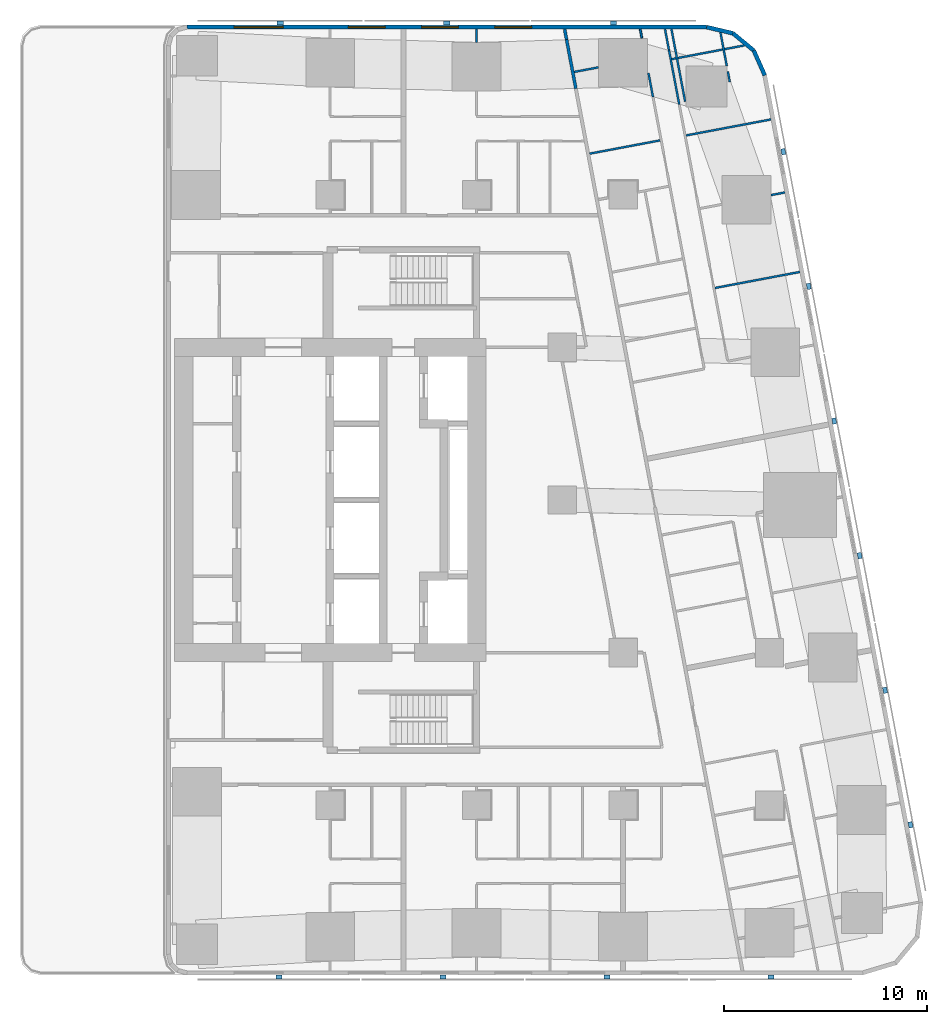
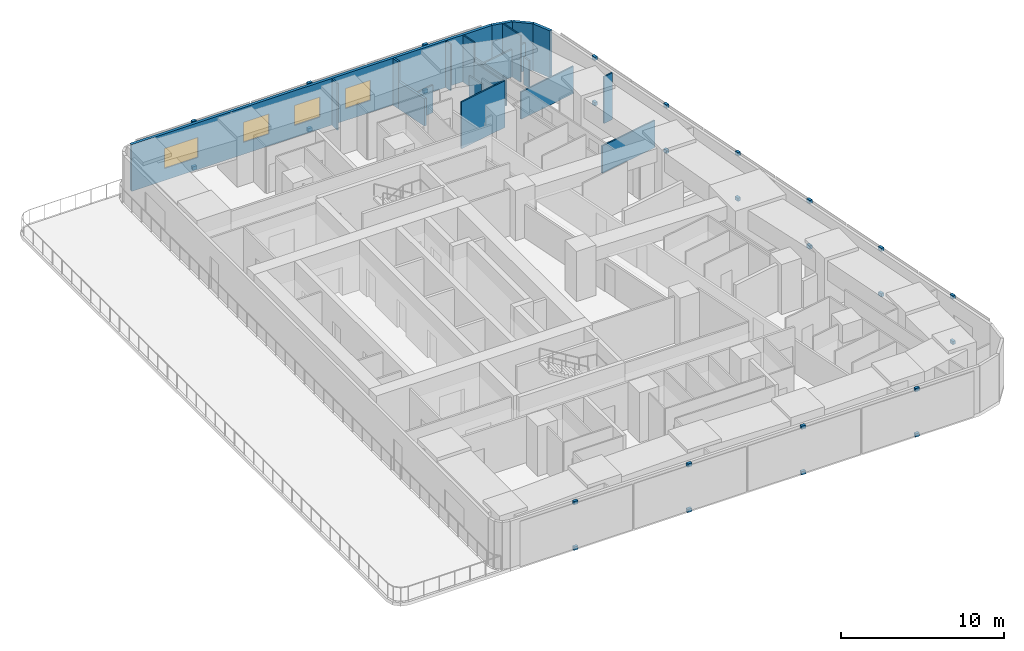
# One storey, part 8 of 11: 26 discrete accessories, 20 walls, 4 windows, 4 openings.
"""IFC4 building model written with IfcOpenShell, lengths in metres."""

from ifc_helpers import new_model, si_unit, direction, frame, frame_2d, origin, origin_2d, place, context, subcontext, project, spatial, rectangle, extrude, material, layer, layer_set, type_object, element, fill, save


model = new_model("IFC4")

# Units and contexts
model_context = context("Model", 3, precision=1e-05, world=origin(), true_north=direction((0.0, 1.0)))
body_context = subcontext(model_context, "Body", "Model", "MODEL_VIEW")
ifc_project = project(units=[si_unit("LENGTHUNIT", "METRE"), si_unit("AREAUNIT", "SQUARE_METRE"), si_unit("VOLUMEUNIT", "CUBIC_METRE"), si_unit("PLANEANGLEUNIT", "RADIAN"), si_unit("MASSUNIT", "GRAM", prefix="KILO")], contexts=[model_context])

# Site, building, storey
site_placement = place(None, origin())
site = spatial("IfcSite", under=ifc_project, at=site_placement, CompositionType="ELEMENT")
building_placement = place(site_placement, origin())
building = spatial("IfcBuilding", under=site, at=building_placement, Name="Sheger Commons Tower", CompositionType="ELEMENT")
storey_placement = place(building_placement, frame((0.0, 0.0, 223.699951171875)))
storey = spatial("IfcBuildingStorey", under=building, at=storey_placement, Name="L57", CompositionType="ELEMENT", Elevation=223.699951171875)

# Walls
ifc_material_1 = material(Name="Hollow concrete block masonry, skimmed both sides", Category="masonry")
ifc_layer_1 = layer(ifc_material_1, 0.14990234375)
ifc_layer_set_1 = layer_set([ifc_layer_1], Name="CORRIDOR WALL 150")
wall_type_1 = type_object("IfcWallType", Name="CORRIDOR WALL 150", PredefinedType="SOLIDWALL", material=ifc_layer_set_1)
wall_1_placement = place(storey_placement, frame((33.126953125, 45.64990234375, 0.0), z_axis=(0.0, 0.0, 1.0), x_axis=(0.185441815104, -0.982655246366, 0.0)))
element("IfcWall", 1, at=wall_1_placement, inside=storey, type_object=wall_type_1, Name="Corridor wall L57", PredefinedType="SOLIDWALL", context=body_context, shape_type="SweptSolid", body=[
    extrude(rectangle(XDim=0.52392578125, YDim=0.14990234375, at=frame_2d((0.261962890625, 0.0))), origin(), (0.0, 0.0, 1.0), 3.5),
])
wall_2_placement = place(storey_placement, frame((33.22412109375, 45.135009765625, 0.0), z_axis=(0.0, 0.0, 1.0), x_axis=(0.185681462868, -0.982609990967, 0.0)))
element("IfcWall", 2, at=wall_2_placement, inside=storey, type_object=wall_type_1, Name="Corridor wall L57", PredefinedType="SOLIDWALL", context=body_context, shape_type="SweptSolid", body=[
    extrude(rectangle(XDim=2.454833984375, YDim=0.14990234375, at=frame_2d((1.2275390625, 0.0))), origin(), (0.0, 0.0, 1.0), 2.050048828125),
])
ifc_material_2 = material(Name="Rendered concrete block masonry, dark grey", Category="masonry")
ifc_layer_2 = layer(ifc_material_2, 0.199951171875)
ifc_layer_set_2 = layer_set([ifc_layer_2], Name="FACADE WALL 200")
wall_type_2 = type_object("IfcWallType", Name="FACADE WALL 200", PredefinedType="SOLIDWALL", material=ifc_layer_set_2)
wall_3_placement = place(storey_placement, frame((42.969970703125, 43.376953125, 0.0), z_axis=(0.0, 0.0, 1.0), x_axis=(-0.406002956633, 0.913871762998, 0.0)))
element("IfcWall", 3, at=wall_3_placement, inside=storey, type_object=wall_type_2, Name="Facade wall L57", PredefinedType="SOLIDWALL", context=body_context, shape_type="SweptSolid", body=[
    extrude(rectangle(XDim=1.33740234375, YDim=0.199951171875, at=frame_2d((0.668701171875, 0.0))), origin(), (0.0, 0.0, 1.0), 3.5),
])
wall_4_placement = place(storey_placement, frame((42.427001953125, 44.59912109375, 0.0), z_axis=(0.0, 0.0, 1.0), x_axis=(-0.770091412544, 0.637933551655, 0.0)))
element("IfcWall", 4, at=wall_4_placement, inside=storey, type_object=wall_type_2, Name="Facade wall L57", PredefinedType="SOLIDWALL", context=body_context, shape_type="SweptSolid", body=[
    extrude(rectangle(XDim=1.324462890625, YDim=0.199951171875, at=frame_2d((0.662109375, 0.0))), origin(), (0.0, 0.0, 1.0), 3.5),
])
wall_5_placement = place(storey_placement, frame((41.406982421875, 45.444091796875, 0.0), z_axis=(0.0, 0.0, 1.0), x_axis=(-0.973453091607, 0.228886606077, 0.0)))
element("IfcWall", 5, at=wall_5_placement, inside=storey, type_object=wall_type_2, Name="Facade wall L57", PredefinedType="SOLIDWALL", context=body_context, shape_type="SweptSolid", body=[
    extrude(rectangle(XDim=1.33642578125, YDim=0.199951171875, at=frame_2d((0.668212890625, 0.0))), origin(), (0.0, 0.0, 1.0), 3.5),
])

# Wall, openings, windows
wall_6_placement = place(storey_placement, frame((40.10595703125, 45.75, 0.0), z_axis=(0.0, 0.0, 1.0), x_axis=(-1.0, 0.0, 0.0)))
wall_6 = element("IfcWall", 6, at=wall_6_placement, inside=storey, type_object=wall_type_2, Name="Facade wall L57", PredefinedType="SOLIDWALL", context=body_context, shape_type="SweptSolid", body=[
    extrude(rectangle(XDim=25.54296875, YDim=0.199951171875, at=frame_2d((12.771484375, 0.0))), origin(), (0.0, 0.0, 1.0), 3.5),
])
opening_1_placement = place(wall_6_placement, frame((8.60595703125, 0.0, 0.89990234375)))
opening_1 = element("IfcOpeningElement", 7, at=opening_1_placement, cuts=wall_6, Name="Opening W2", PredefinedType="OPENING", context=body_context, shape_type="SweptSolid", body=[
    extrude(rectangle(XDim=1.800048828125, YDim=1.5, at=frame_2d((0.89990234375, 0.75))), frame((0.0, 0.10986328125, 0.0), z_axis=(0.0, -1.0, 0.0), x_axis=(1.0, 0.0, 0.0)), (0.0, 0.0, 1.0), 0.219970703125),
])
opening_2_placement = place(wall_6_placement, frame((12.2060546875, 0.0, 0.89990234375)))
opening_2 = element("IfcOpeningElement", 8, at=opening_2_placement, cuts=wall_6, Name="Opening W2", PredefinedType="OPENING", context=body_context, shape_type="SweptSolid", body=[
    extrude(rectangle(XDim=1.800048828125, YDim=1.5, at=frame_2d((0.89990234375, 0.75))), frame((0.0, 0.10986328125, 0.0), z_axis=(0.0, -1.0, 0.0), x_axis=(1.0, 0.0, 0.0)), (0.0, 0.0, 1.0), 0.219970703125),
])
opening_3_placement = place(wall_6_placement, frame((15.805908203125, 0.0, 0.89990234375)))
opening_3 = element("IfcOpeningElement", 9, at=opening_3_placement, cuts=wall_6, Name="Opening W2", PredefinedType="OPENING", context=body_context, shape_type="SweptSolid", body=[
    extrude(rectangle(XDim=1.800048828125, YDim=1.5, at=frame_2d((0.89990234375, 0.75))), frame((0.0, 0.10986328125, 0.0), z_axis=(0.0, -1.0, 0.0), x_axis=(1.0, 0.0, 0.0)), (0.0, 0.0, 1.0), 0.219970703125),
])
opening_4_placement = place(wall_6_placement, frame((20.824951171875, 0.0, 0.89990234375)))
opening_4 = element("IfcOpeningElement", 10, at=opening_4_placement, cuts=wall_6, Name="Opening W1", PredefinedType="OPENING", context=body_context, shape_type="SweptSolid", body=[
    extrude(rectangle(XDim=2.39990234375, YDim=1.5, at=frame_2d((1.199951171875, 0.75))), frame((0.0, 0.10986328125, 0.0), z_axis=(0.0, -1.0, 0.0), x_axis=(1.0, 0.0, 0.0)), (0.0, 0.0, 1.0), 0.219970703125),
])
ifc_material_3 = material(Name="Black aluminium frame, dark tinted double glazing", Category="aluminium")
window_type_1 = type_object("IfcWindowType", Name="WINDOW W1 2400x1500", PartitioningType="SINGLE_PANEL", PredefinedType="WINDOW", material=ifc_material_3)
window_1_placement = place(opening_4_placement, origin())
window_1 = element("IfcWindow", 11, at=window_1_placement, inside=storey, type_object=window_type_1, Name="Window W1 2400X1500", OverallHeight=1.5, OverallWidth=2.39990234375, PartitioningType="SINGLE_PANEL", PredefinedType="WINDOW", context=body_context, shape_type="SweptSolid", body=[
    extrude(rectangle(XDim=2.39990234375, YDim=1.5, at=frame_2d((1.199951171875, 0.75))), frame((0.0, 0.030029296875, 0.0), z_axis=(0.0, -1.0, 0.0), x_axis=(1.0, 0.0, 0.0)), (0.0, 0.0, 1.0), 0.06005859375),
])
fill(opening_4, window_1)
ifc_material_4 = material(Name="Black aluminium frame, dark tinted double glazing", Category="aluminium")
window_type_2 = type_object("IfcWindowType", Name="WINDOW W2 1800x1500", PartitioningType="SINGLE_PANEL", PredefinedType="WINDOW", material=ifc_material_4)
window_2_placement = place(opening_1_placement, origin())
window_2 = element("IfcWindow", 12, at=window_2_placement, inside=storey, type_object=window_type_2, Name="Window W2 1800X1500", OverallHeight=1.5, OverallWidth=1.800048828125, PartitioningType="SINGLE_PANEL", PredefinedType="WINDOW", context=body_context, shape_type="SweptSolid", body=[
    extrude(rectangle(XDim=1.800048828125, YDim=1.5, at=frame_2d((0.89990234375, 0.75))), frame((0.0, 0.030029296875, 0.0), z_axis=(0.0, -1.0, 0.0), x_axis=(1.0, 0.0, 0.0)), (0.0, 0.0, 1.0), 0.06005859375),
])
fill(opening_1, window_2)
window_3_placement = place(opening_2_placement, origin())
window_3 = element("IfcWindow", 13, at=window_3_placement, inside=storey, type_object=window_type_2, Name="Window W2 1800X1500", OverallHeight=1.5, OverallWidth=1.800048828125, PartitioningType="SINGLE_PANEL", PredefinedType="WINDOW", context=body_context, shape_type="SweptSolid", body=[
    extrude(rectangle(XDim=1.800048828125, YDim=1.5, at=frame_2d((0.89990234375, 0.75))), frame((0.0, 0.030029296875, 0.0), z_axis=(0.0, -1.0, 0.0), x_axis=(1.0, 0.0, 0.0)), (0.0, 0.0, 1.0), 0.06005859375),
])
fill(opening_2, window_3)
window_4_placement = place(opening_3_placement, origin())
window_4 = element("IfcWindow", 14, at=window_4_placement, inside=storey, type_object=window_type_2, Name="Window W2 1800X1500", OverallHeight=1.5, OverallWidth=1.800048828125, PartitioningType="SINGLE_PANEL", PredefinedType="WINDOW", context=body_context, shape_type="SweptSolid", body=[
    extrude(rectangle(XDim=1.800048828125, YDim=1.5, at=frame_2d((0.89990234375, 0.75))), frame((0.0, 0.030029296875, 0.0), z_axis=(0.0, -1.0, 0.0), x_axis=(1.0, 0.0, 0.0)), (0.0, 0.0, 1.0), 0.06005859375),
])
fill(opening_3, window_4)

# Walls
ifc_material_5 = material(Name="Gypsum board on steel studs", Category="steel")
ifc_layer_3 = layer(ifc_material_5, 0.10009765625)
ifc_layer_set_3 = layer_set([ifc_layer_3], Name="PARTITION 100")
wall_type_3 = type_object("IfcWallType", Name="PARTITION 100", PredefinedType="PARTITIONING", material=ifc_layer_set_3)
wall_7_placement = place(storey_placement, frame((39.053955078125, 42.0849609375, 0.0), z_axis=(0.0, 0.0, 1.0), x_axis=(-0.185791584218, 0.982589175207, 0.0)))
element("IfcWall", 15, at=wall_7_placement, inside=storey, type_object=wall_type_3, Name="Partition L57", PredefinedType="PARTITIONING", context=body_context, shape_type="SweptSolid", body=[
    extrude(rectangle(XDim=3.628173828125, YDim=0.10009765625, at=frame_2d((1.81396484375, 0.0))), origin(), (0.0, 0.0, 1.0), 2.050048828125),
])
wall_8_placement = place(storey_placement, frame((40.7890625, 45.487060546875, 0.0), z_axis=(0.0, 0.0, 1.0), x_axis=(0.185572395193, -0.982630594955, 0.0)))
element("IfcWall", 16, at=wall_8_placement, inside=storey, type_object=wall_type_3, Name="Partition L57", PredefinedType="PARTITIONING", context=body_context, shape_type="SweptSolid", body=[
    extrude(rectangle(XDim=1.676025390625, YDim=0.10009765625, at=frame_2d((0.837890625, 0.0))), origin(), (0.0, 0.0, 1.0), 3.5),
])
wall_9_placement = place(storey_placement, frame((41.15087890625, 43.569091796875, 0.0), z_axis=(0.0, 0.0, 1.0), x_axis=(0.186563073924, -0.982442985342, 0.0)))
element("IfcWall", 17, at=wall_9_placement, inside=storey, type_object=wall_type_3, Name="Partition L57", PredefinedType="PARTITIONING", context=body_context, shape_type="SweptSolid", body=[
    extrude(rectangle(XDim=0.53125, YDim=0.10009765625, at=frame_2d((0.265625, 0.0))), origin(), (0.0, 0.0, 1.0), 2.050048828125),
])
wall_10_placement = place(storey_placement, frame((38.06298828125, 45.64990234375, 0.0), z_axis=(0.0, 0.0, 1.0), x_axis=(0.185677287841, -0.982610779902, 0.0)))
element("IfcWall", 18, at=wall_10_placement, inside=storey, type_object=wall_type_3, Name="Partition L57", PredefinedType="PARTITIONING", context=body_context, shape_type="SweptSolid", body=[
    extrude(rectangle(XDim=1.0400390625, YDim=0.10009765625, at=frame_2d((0.52001953125, 0.0))), origin(), (0.0, 0.0, 1.0), 3.5),
])
wall_11_placement = place(storey_placement, frame((38.256103515625, 44.6279296875, 0.0), z_axis=(0.0, 0.0, 1.0), x_axis=(0.185700639943, -0.982606366927, 0.0)))
element("IfcWall", 19, at=wall_11_placement, inside=storey, type_object=wall_type_3, Name="Partition L57", PredefinedType="PARTITIONING", context=body_context, shape_type="SweptSolid", body=[
    extrude(rectangle(XDim=2.734619140625, YDim=0.10009765625, at=frame_2d((1.3671875, 0.0))), origin(), (0.0, 0.0, 1.0), 2.050048828125),
])
wall_12_placement = place(storey_placement, frame((36.842041015625, 45.64990234375, 0.0), z_axis=(0.0, 0.0, 1.0), x_axis=(0.185407859198, -0.982661653748, 0.0)))
element("IfcWall", 20, at=wall_12_placement, inside=storey, type_object=wall_type_3, Name="Partition L57", PredefinedType="PARTITIONING", context=body_context, shape_type="SweptSolid", body=[
    extrude(rectangle(XDim=0.44775390625, YDim=0.10009765625, at=frame_2d((0.223876953125, 0.0))), origin(), (0.0, 0.0, 1.0), 3.5),
])
wall_13_placement = place(storey_placement, frame((37.2490234375, 43.492919921875, 0.0), z_axis=(0.0, 0.0, 1.0), x_axis=(0.185817643817, -0.982584247404, 0.0)))
element("IfcWall", 21, at=wall_13_placement, inside=storey, type_object=wall_type_3, Name="Partition L57", PredefinedType="PARTITIONING", context=body_context, shape_type="SweptSolid", body=[
    extrude(rectangle(XDim=1.204833984375, YDim=0.10009765625, at=frame_2d((0.6025390625, 0.0))), origin(), (0.0, 0.0, 1.0), 2.050048828125),
])
wall_14_placement = place(storey_placement, frame((41.968017578125, 44.85009765625, 0.0), z_axis=(0.0, 0.0, 1.0), x_axis=(-0.98258614234, -0.185807623311, 0.0)))
element("IfcWall", 22, at=wall_14_placement, inside=storey, type_object=wall_type_3, Name="Partition L57", PredefinedType="PARTITIONING", context=body_context, shape_type="SweptSolid", body=[
    extrude(rectangle(XDim=3.638427734375, YDim=0.10009765625, at=frame_2d((1.8193359375, 0.0))), origin(), (0.0, 0.0, 1.0), 2.050048828125),
])
wall_15_placement = place(storey_placement, frame((43.277099609375, 41.2119140625, 0.0), z_axis=(0.0, 0.0, 1.0), x_axis=(-0.982665405803, -0.185387972203, 0.0)))
element("IfcWall", 23, at=wall_15_placement, inside=storey, type_object=wall_type_3, Name="Partition L57", PredefinedType="PARTITIONING", context=body_context, shape_type="SweptSolid", body=[
    extrude(rectangle(XDim=4.249755859375, YDim=0.10009765625, at=frame_2d((2.125, 0.0))), origin(), (0.0, 0.0, 1.0), 2.050048828125),
])
wall_16_placement = place(storey_placement, frame((43.955078125, 37.6201171875, 0.0), z_axis=(0.0, 0.0, 1.0), x_axis=(-0.982495415327, -0.186286765128, 0.0)))
element("IfcWall", 24, at=wall_16_placement, inside=storey, type_object=wall_type_3, Name="Partition L57", PredefinedType="PARTITIONING", context=body_context, shape_type="SweptSolid", body=[
    extrude(rectangle(XDim=0.693359375, YDim=0.10009765625, at=frame_2d((0.3466796875, 0.0))), origin(), (0.0, 0.0, 1.0), 3.5),
])
wall_17_placement = place(storey_placement, frame((44.693115234375, 33.712890625, 0.0), z_axis=(0.0, 0.0, 1.0), x_axis=(-0.982623519589, -0.185609856287, 0.0)))
element("IfcWall", 25, at=wall_17_placement, inside=storey, type_object=wall_type_3, Name="Partition L57", PredefinedType="PARTITIONING", context=body_context, shape_type="SweptSolid", body=[
    extrude(rectangle(XDim=4.249755859375, YDim=0.10009765625, at=frame_2d((2.125, 0.0))), origin(), (0.0, 0.0, 1.0), 2.050048828125),
])
wall_18_placement = place(storey_placement, frame((34.7900390625, 43.77099609375, 0.0), z_axis=(0.0, 0.0, 1.0), x_axis=(-0.982730261052, -0.18504387051, 0.0)))
element("IfcWall", 26, at=wall_18_placement, inside=storey, type_object=wall_type_3, Name="Partition L57", PredefinedType="PARTITIONING", context=body_context, shape_type="SweptSolid", body=[
    extrude(rectangle(XDim=1.2099609375, YDim=0.10009765625, at=frame_2d((0.60498046875, 0.0))), origin(), (0.0, 0.0, 1.0), 2.050048828125),
])
wall_19_placement = place(storey_placement, frame((37.823974609375, 40.181884765625, 0.0), z_axis=(0.0, 0.0, 1.0), x_axis=(-0.982648794755, -0.185475998897, 0.0)))
element("IfcWall", 27, at=wall_19_placement, inside=storey, type_object=wall_type_3, Name="Partition L57", PredefinedType="PARTITIONING", context=body_context, shape_type="SweptSolid", body=[
    extrude(rectangle(XDim=3.525146484375, YDim=0.10009765625, at=frame_2d((1.7626953125, 0.0))), origin(), (0.0, 0.0, 1.0), 3.5),
])
wall_20_placement = place(storey_placement, frame((28.800048828125, 45.0009765625, 0.0), z_axis=(0.0, 0.0, 1.0), x_axis=(0.0, 1.0, 0.0)))
element("IfcWall", 28, at=wall_20_placement, inside=storey, type_object=wall_type_3, Name="Partition L57", PredefinedType="PARTITIONING", context=body_context, shape_type="SweptSolid", body=[
    extrude(rectangle(XDim=0.64892578125, YDim=0.10009765625, at=frame_2d((0.324462890625, 0.0))), origin(), (0.0, 0.0, 1.0), 3.5),
])

# Discrete accessories
ifc_material_6 = material(Name="Black painted steel bracket", Category="steel")
discrete_accessory_type = type_object("IfcDiscreteAccessoryType", Name="SCREEN BRACKET 300x200x250", PredefinedType="BRACKET", material=ifc_material_6)
for number, where, z_axis, x_axis, name in (
    (29, (19.08203125, -0.949951171875, -0.099853515625), (0.0, 0.0, 1.0), (1.0, 0.0, 0.0), "Solar screen foot bracket"),
    (30, (19.08203125, -0.949951171875, 3.300048828125), (0.0, 0.0, 1.0), (1.0, 0.0, 0.0), "Solar screen head bracket"),
    (31, (27.14599609375, -0.949951171875, -0.099853515625), (0.0, 0.0, 1.0), (1.0, 0.0, 0.0), "Solar screen foot bracket"),
    (32, (27.14599609375, -0.949951171875, 3.300048828125), (0.0, 0.0, 1.0), (1.0, 0.0, 0.0), "Solar screen head bracket"),
    (33, (35.2099609375, -0.949951171875, -0.099853515625), (0.0, 0.0, 1.0), (1.0, 0.0, 0.0), "Solar screen foot bracket"),
    (34, (35.2099609375, -0.949951171875, 3.300048828125), (0.0, 0.0, 1.0), (1.0, 0.0, 0.0), "Solar screen head bracket"),
    (35, (43.27392578125, -0.949951171875, -0.099853515625), (0.0, 0.0, 1.0), (1.0, 0.0, 0.0), "Solar screen foot bracket"),
    (36, (43.27392578125, -0.949951171875, 3.300048828125), (0.0, 0.0, 1.0), (1.0, 0.0, 0.0), "Solar screen head bracket"),
    (37, (50.134033203125, 6.527099609375, -0.099853515625), (0.0, 0.0, 1.0), (-0.185615165645, 0.982622516678, 0.0), "Solar screen foot bracket"),
    (38, (50.134033203125, 6.527099609375, 3.300048828125), (0.0, 0.0, 1.0), (-0.185615165645, 0.982622516678, 0.0), "Solar screen head bracket"),
    (39, (48.884033203125, 13.14599609375, -0.099853515625), (0.0, 0.0, 1.0), (-0.185615165645, 0.982622516678, 0.0), "Solar screen foot bracket"),
    (40, (48.884033203125, 13.14599609375, 3.300048828125), (0.0, 0.0, 1.0), (-0.185615165645, 0.982622516678, 0.0), "Solar screen head bracket"),
    (41, (47.633056640625, 19.76611328125, -0.099853515625), (0.0, 0.0, 1.0), (-0.185615165645, 0.982622516678, 0.0), "Solar screen foot bracket"),
    (42, (47.633056640625, 19.76611328125, 3.300048828125), (0.0, 0.0, 1.0), (-0.185615165645, 0.982622516678, 0.0), "Solar screen head bracket"),
    (43, (46.383056640625, 26.385009765625, -0.099853515625), (0.0, 0.0, 1.0), (-0.185615165645, 0.982622516678, 0.0), "Solar screen foot bracket"),
    (44, (46.383056640625, 26.385009765625, 3.300048828125), (0.0, 0.0, 1.0), (-0.185615165645, 0.982622516678, 0.0), "Solar screen head bracket"),
    (45, (45.133056640625, 33.0048828125, -0.099853515625), (0.0, 0.0, 1.0), (-0.185615165645, 0.982622516678, 0.0), "Solar screen foot bracket"),
    (46, (45.133056640625, 33.0048828125, 3.300048828125), (0.0, 0.0, 1.0), (-0.185615165645, 0.982622516678, 0.0), "Solar screen head bracket"),
    (47, (43.882080078125, 39.6240234375, -0.099853515625), (0.0, 0.0, 1.0), (-0.185615165645, 0.982622516678, 0.0), "Solar screen foot bracket"),
    (48, (43.882080078125, 39.6240234375, 3.300048828125), (0.0, 0.0, 1.0), (-0.185615165645, 0.982622516678, 0.0), "Solar screen head bracket"),
    (49, (35.52294921875, 45.949951171875, -0.099853515625), (0.0, 0.0, 1.0), (-1.0, 0.0, 0.0), "Solar screen foot bracket"),
    (50, (35.52294921875, 45.949951171875, 3.300048828125), (0.0, 0.0, 1.0), (-1.0, 0.0, 0.0), "Solar screen head bracket"),
    (51, (27.333984375, 45.949951171875, -0.099853515625), (0.0, 0.0, 1.0), (-1.0, 0.0, 0.0), "Solar screen foot bracket"),
    (52, (27.333984375, 45.949951171875, 3.300048828125), (0.0, 0.0, 1.0), (-1.0, 0.0, 0.0), "Solar screen head bracket"),
    (53, (19.14501953125, 45.949951171875, -0.099853515625), (0.0, 0.0, 1.0), (-1.0, 0.0, 0.0), "Solar screen foot bracket"),
    (54, (19.14501953125, 45.949951171875, 3.300048828125), (0.0, 0.0, 1.0), (-1.0, 0.0, 0.0), "Solar screen head bracket"),
):
    element("IfcDiscreteAccessory", number, at=place(storey_placement, frame(where, z_axis=z_axis, x_axis=x_axis)), inside=storey, type_object=discrete_accessory_type, Name=name, PredefinedType="BRACKET", context=body_context, shape_type="SweptSolid", body=[
        extrude(rectangle(XDim=0.300048828125, YDim=0.199951171875, at=origin_2d()), origin(), (0.0, 0.0, 1.0), 0.25),
    ])

save(model, "model.ifc")
